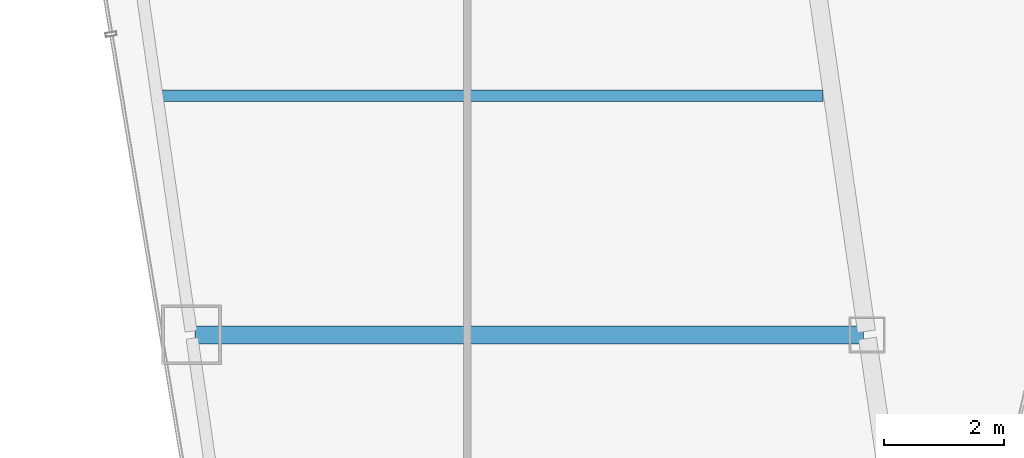
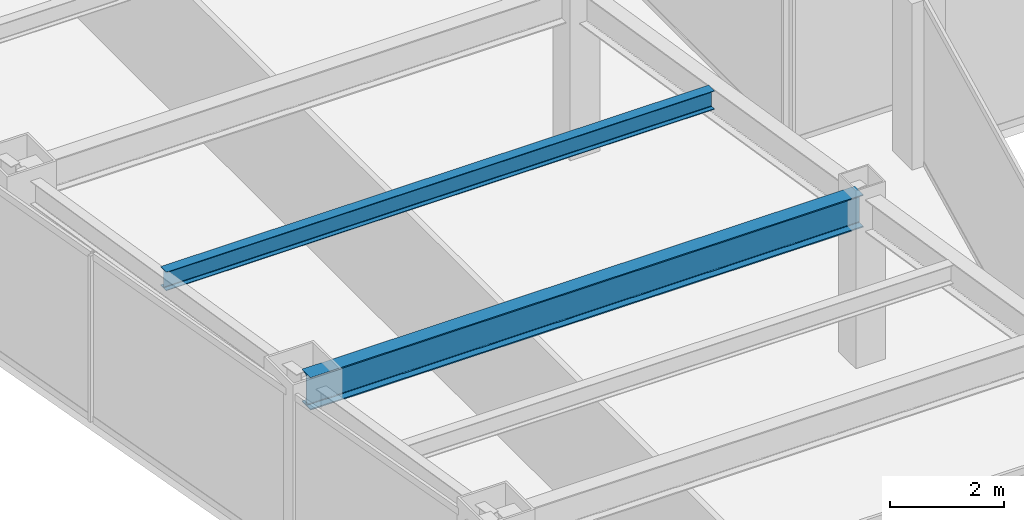
# One storey, part 4 of 37: 2 beams.
"""IFC4 building model written with IfcOpenShell, lengths in metres."""

from ifc_helpers import new_model, si_unit, direction, frame, origin, origin_2d, place, context, subcontext, project, spatial, i_section, extrude, material, material_profile, profile_set, type_object, element, save


model = new_model("IFC4")

# Units and contexts
model_context = context("Model", 3, precision=1e-05, world=origin(), true_north=direction((0.0, 1.0)))
body_context = subcontext(model_context, "Body", "Model", "MODEL_VIEW")
ifc_project = project(units=[si_unit("LENGTHUNIT", "METRE"), si_unit("AREAUNIT", "SQUARE_METRE"), si_unit("VOLUMEUNIT", "CUBIC_METRE"), si_unit("PLANEANGLEUNIT", "RADIAN"), si_unit("MASSUNIT", "GRAM", prefix="KILO")], contexts=[model_context])

# Site, building, storey
site_placement = place(None, origin())
site = spatial("IfcSite", under=ifc_project, at=site_placement, CompositionType="ELEMENT")
building_placement = place(site_placement, origin())
building = spatial("IfcBuilding", under=site, at=building_placement, Name="Saevonmaru Cultural Tower", CompositionType="ELEMENT")
storey_placement = place(building_placement, frame((0.0, 0.0, 141.0)))
storey = spatial("IfcBuildingStorey", under=building, at=storey_placement, Name="L30", CompositionType="ELEMENT", Elevation=141.0)

# Beams
ifc_material = material(Name="Steel SM355", Category="steel")
ifc_material_profile_1 = material_profile(ifc_material, i_section(OverallWidth=0.300048828125, OverallDepth=0.699951171875, WebThickness=0.012939453125, FlangeThickness=0.02392578125, FilletRadius=0.02587890625, at=origin_2d()), Name="H-700x300x13x24")
ifc_profile_set_1 = profile_set([ifc_material_profile_1], Name="Steel SM355")
beam_type_1 = type_object("IfcBeamType", Name="BM-G-H700", PredefinedType="BEAM", material=ifc_profile_set_1)
beam_1_placement = place(storey_placement, frame((10.68798828125, 16.0, 3.199951171875), z_axis=(1.0, 0.0, 0.0), x_axis=(0.0, 1.0, 0.0)))
element("IfcBeam", 1, at=beam_1_placement, inside=storey, type_object=beam_type_1, Name="L30 West Wing Transverse Girder 2", PredefinedType="BEAM", context=body_context, shape_type="SweptSolid", body=[
    extrude(i_section(OverallWidth=0.300048828125, OverallDepth=0.699951171875, WebThickness=0.012939453125, FlangeThickness=0.02392578125, FilletRadius=0.02587890625, at=origin_2d()), origin(), (0.0, 0.0, 1.0), 11.179931640625),
])
ifc_material_profile_2 = material_profile(ifc_material, i_section(OverallWidth=0.199951171875, OverallDepth=0.39990234375, WebThickness=0.008056640625, FlangeThickness=0.012939453125, FilletRadius=0.01611328125, at=origin_2d()), Name="H-400x200x8x13")
ifc_profile_set_2 = profile_set([ifc_material_profile_2], Name="Steel SM355")
beam_type_2 = type_object("IfcBeamType", Name="BM-J-H400", PredefinedType="JOIST", material=ifc_profile_set_2)
beam_2_placement = place(storey_placement, frame((10.110107421875, 20.0, 3.35009765625), z_axis=(1.0, 0.0, 0.0), x_axis=(0.0, 1.0, 0.0)))
element("IfcBeam", 2, at=beam_2_placement, inside=storey, type_object=beam_type_2, Name="L30 West Wing Floor Joist 2", PredefinedType="JOIST", context=body_context, shape_type="SweptSolid", body=[
    extrude(i_section(OverallWidth=0.199951171875, OverallDepth=0.39990234375, WebThickness=0.008056640625, FlangeThickness=0.012939453125, FilletRadius=0.01611328125, at=origin_2d()), origin(), (0.0, 0.0, 1.0), 11.081787109375),
])

save(model, "model.ifc")
